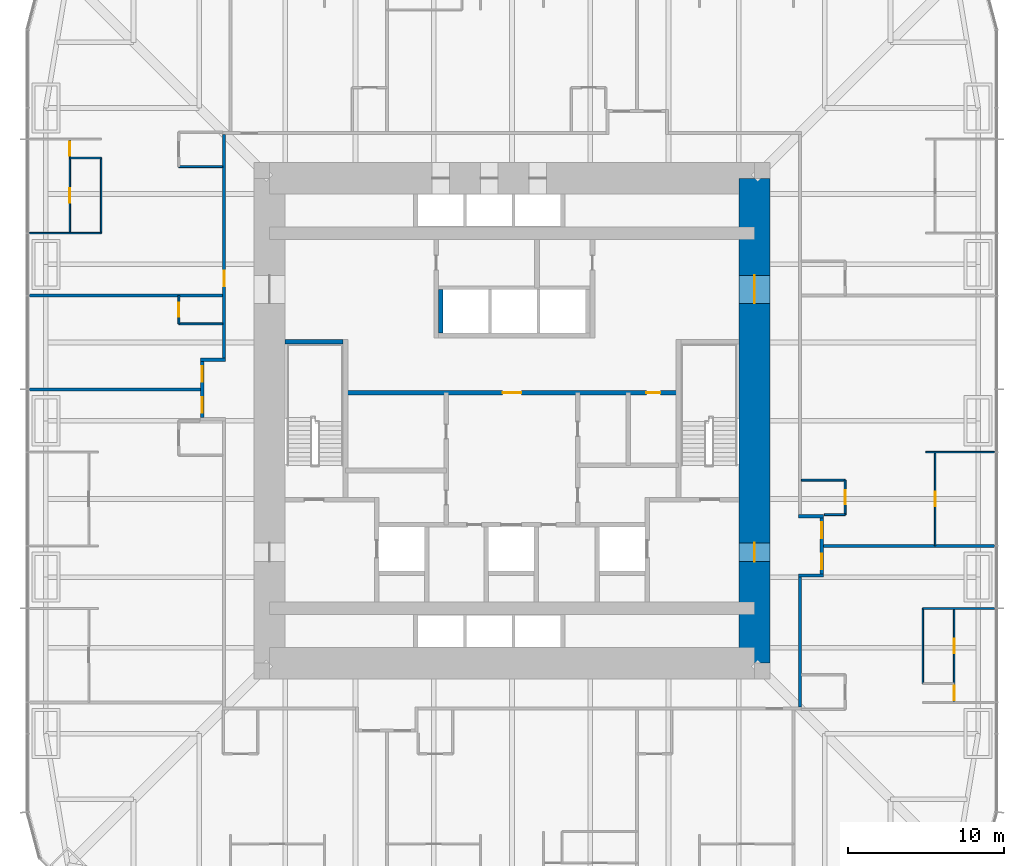
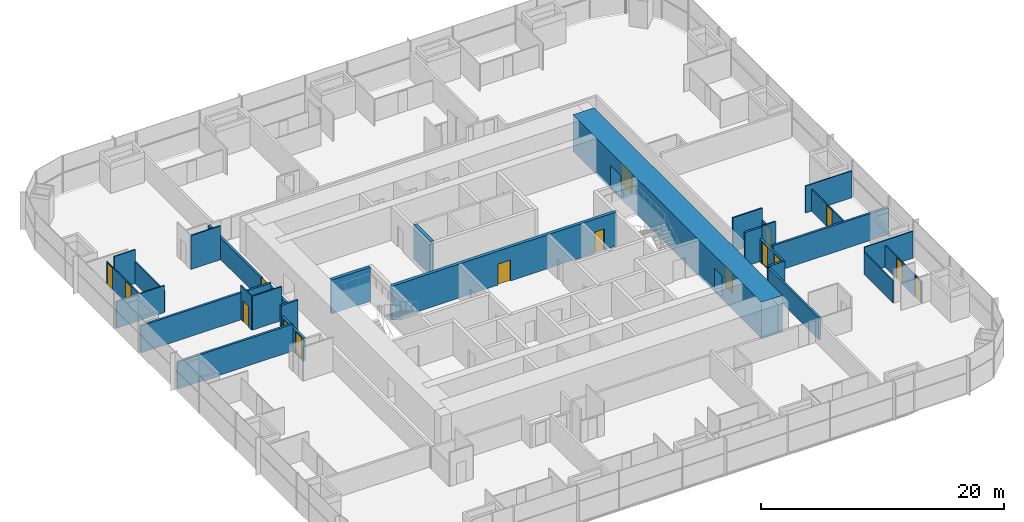
# One storey, part 14 of 17: 29 walls, 16 doors, 16 openings.
"""IFC4 building model written with IfcOpenShell, lengths in metres."""

from ifc_helpers import new_model, si_unit, direction, frame, frame_2d, origin, place, context, subcontext, project, spatial, rectangle, extrude, material, layer, layer_set, type_object, element, fill, save


model = new_model("IFC4")

# Units and contexts
model_context = context("Model", 3, precision=1e-05, world=origin(), true_north=direction((0.0, 1.0)))
body_context = subcontext(model_context, "Body", "Model", "MODEL_VIEW")
ifc_project = project(units=[si_unit("LENGTHUNIT", "METRE"), si_unit("AREAUNIT", "SQUARE_METRE"), si_unit("VOLUMEUNIT", "CUBIC_METRE"), si_unit("PLANEANGLEUNIT", "RADIAN"), si_unit("MASSUNIT", "GRAM", prefix="KILO")], contexts=[model_context])

# Site, building, storey
site_placement = place(None, origin())
site = spatial("IfcSite", under=ifc_project, at=site_placement, CompositionType="ELEMENT")
building_placement = place(site_placement, origin())
building = spatial("IfcBuilding", under=site, at=building_placement, Name="Khuree Lantern Residences", CompositionType="ELEMENT")
storey_placement = place(building_placement, frame((0.0, 0.0, 96.0)))
storey = spatial("IfcBuildingStorey", under=building, at=storey_placement, Name="L24", CompositionType="ELEMENT", Elevation=96.0)

# Wall, opening, door
ifc_material_1 = material(Name="Moisture-resistant gypsum board on steel studs", Category="steel")
ifc_layer_1 = layer(ifc_material_1, 0.125)
ifc_layer_set_1 = layer_set([ifc_layer_1], Name="BATHROOM WALL BTW125")
wall_type_1 = type_object("IfcWallType", Name="BATHROOM WALL BTW125", PredefinedType="PARTITIONING", material=ifc_layer_set_1)
wall_1_placement = place(storey_placement, frame((21.300048828125, -6.0, 0.0), z_axis=(0.0, 0.0, 1.0), x_axis=(0.0, 1.0, 0.0)))
wall_1 = element("IfcWall", 1, at=wall_1_placement, inside=storey, type_object=wall_type_1, Name="L24 BATHROOM WALL 01", PredefinedType="PARTITIONING", context=body_context, shape_type="SweptSolid", body=[
    extrude(rectangle(XDim=2.199951171875, YDim=0.125, at=frame_2d((1.10009765625, 0.0))), origin(), (0.0, 0.0, 1.0), 2.199951171875),
])
opening_1_placement = place(wall_1_placement, frame((0.64990234375, 0.0, 0.0)))
opening_1 = element("IfcOpeningElement", 2, at=opening_1_placement, cuts=wall_1, Name="Opening 24-024", PredefinedType="OPENING", context=body_context, shape_type="SweptSolid", body=[
    extrude(rectangle(XDim=0.89990234375, YDim=2.10009765625, at=frame_2d((0.449951171875, 1.050048828125))), frame((0.0, 0.072509765625, 0.0), z_axis=(0.0, -1.0, 0.0), x_axis=(1.0, 0.0, 0.0)), (0.0, 0.0, 1.0), 0.14501953125),
])
ifc_material_2 = material(Name="Timber door leaf in hardwood frame", Category="wood")
door_type_1 = type_object("IfcDoorType", Name="BATHROOM DOOR 900X2100", OperationType="SINGLE_SWING_LEFT", PredefinedType="DOOR", material=ifc_material_2)
door_1_placement = place(opening_1_placement, origin())
door_1 = element("IfcDoor", 3, at=door_1_placement, inside=storey, type_object=door_type_1, Name="Bathroom door 24-024", OperationType="SINGLE_SWING_LEFT", OverallHeight=2.10009765625, OverallWidth=0.89990234375, PredefinedType="DOOR", context=body_context, shape_type="SweptSolid", body=[
    extrude(rectangle(XDim=0.89990234375, YDim=2.10009765625, at=frame_2d((0.449951171875, 1.050048828125))), frame((0.0, 0.02490234375, 0.0), z_axis=(0.0, -1.0, 0.0), x_axis=(1.0, 0.0, 0.0)), (0.0, 0.0, 1.0), 0.050048828125),
])
fill(opening_1, door_1)

# Walls
wall_2_placement = place(storey_placement, frame((19.969970703125, -6.0, 0.0), z_axis=(0.0, 0.0, 1.0), x_axis=(1.0, 0.0, 0.0)))
element("IfcWall", 4, at=wall_2_placement, inside=storey, type_object=wall_type_1, Name="L24 BATHROOM WALL 01", PredefinedType="PARTITIONING", context=body_context, shape_type="SweptSolid", body=[
    extrude(rectangle(XDim=1.330078125, YDim=0.125, at=frame_2d((0.6650390625, 0.0))), origin(), (0.0, 0.0, 1.0), 3.39990234375),
])
for number, where, z_axis, x_axis, name in (
    (5, (18.5, -3.800048828125, 0.0), (0.0, 0.0, 1.0), (1.0, 0.0, 0.0), "L24 BATHROOM WALL 01"),
    (6, (-18.5, 16.25, 0.0), (0.0, 0.0, 1.0), (-1.0, 0.0, 0.0), "L24 BATHROOM WALL 05"),
):
    element("IfcWall", number, at=place(storey_placement, frame(where, z_axis=z_axis, x_axis=x_axis)), inside=storey, type_object=wall_type_1, Name=name, PredefinedType="PARTITIONING", context=body_context, shape_type="SweptSolid", body=[
        extrude(rectangle(XDim=2.800048828125, YDim=0.125, at=frame_2d((1.39990234375, 0.0))), origin(), (0.0, 0.0, 1.0), 3.39990234375),
    ])

# Wall, opening, door
wall_3_placement = place(storey_placement, frame((-21.300048828125, 8.0, 0.0), z_axis=(0.0, 0.0, 1.0), x_axis=(0.0, -1.0, 0.0)))
wall_3 = element("IfcWall", 7, at=wall_3_placement, inside=storey, type_object=wall_type_1, Name="L24 BATHROOM WALL 06", PredefinedType="PARTITIONING", context=body_context, shape_type="SweptSolid", body=[
    extrude(rectangle(XDim=1.800048828125, YDim=0.125, at=frame_2d((0.89990234375, 0.0))), origin(), (0.0, 0.0, 1.0), 3.39990234375),
])
opening_2_placement = place(wall_3_placement, frame((0.449951171875, 0.0, 0.0)))
opening_2 = element("IfcOpeningElement", 8, at=opening_2_placement, cuts=wall_3, Name="Opening 24-042", PredefinedType="OPENING", context=body_context, shape_type="SweptSolid", body=[
    extrude(rectangle(XDim=0.89990234375, YDim=2.10009765625, at=frame_2d((0.449951171875, 1.050048828125))), frame((0.0, 0.072509765625, 0.0), z_axis=(0.0, -1.0, 0.0), x_axis=(1.0, 0.0, 0.0)), (0.0, 0.0, 1.0), 0.14501953125),
])
door_2_placement = place(opening_2_placement, origin())
door_2 = element("IfcDoor", 9, at=door_2_placement, inside=storey, type_object=door_type_1, Name="Bathroom door 24-042", OperationType="SINGLE_SWING_LEFT", OverallHeight=2.10009765625, OverallWidth=0.89990234375, PredefinedType="DOOR", context=body_context, shape_type="SweptSolid", body=[
    extrude(rectangle(XDim=0.89990234375, YDim=2.10009765625, at=frame_2d((0.449951171875, 1.050048828125))), frame((0.0, 0.02490234375, 0.0), z_axis=(0.0, -1.0, 0.0), x_axis=(1.0, 0.0, 0.0)), (0.0, 0.0, 1.0), 0.050048828125),
])
fill(opening_2, door_2)

# Walls
wall_4_placement = place(storey_placement, frame((-18.5, 6.199951171875, 0.0), z_axis=(0.0, 0.0, 1.0), x_axis=(-1.0, 0.0, 0.0)))
element("IfcWall", 10, at=wall_4_placement, inside=storey, type_object=wall_type_1, Name="L24 BATHROOM WALL 06", PredefinedType="PARTITIONING", context=body_context, shape_type="SweptSolid", body=[
    extrude(rectangle(XDim=2.800048828125, YDim=0.125, at=frame_2d((1.39990234375, 0.0))), origin(), (0.0, 0.0, 1.0), 3.39990234375),
])
ifc_material_3 = material(Name="Dense concrete blockwork", Category="masonry")
ifc_layer_2 = layer(ifc_material_3, 0.300048828125)
ifc_layer_set_2 = layer_set([ifc_layer_2], Name="CORE PARTITION WALL CPW300 EI 120")
wall_type_2 = type_object("IfcWallType", Name="CORE PARTITION WALL CPW300 EI 120", PredefinedType="PARTITIONING", material=ifc_layer_set_2)
wall_5_placement = place(storey_placement, frame((-4.550048828125, 5.60009765625, 0.0), z_axis=(0.0, 0.0, 1.0), x_axis=(0.0, 1.0, 0.0)))
element("IfcWall", 11, at=wall_5_placement, inside=storey, type_object=wall_type_2, Name="L24 CORE WALL PHW", PredefinedType="PARTITIONING", context=body_context, shape_type="SweptSolid", body=[
    extrude(rectangle(XDim=2.7998046875, YDim=0.300048828125, at=frame_2d((1.39990234375, 0.0))), origin(), (0.0, 0.0, 1.0), 3.39990234375),
])

# Wall, openings, doors
wall_6_placement = place(storey_placement, frame((-10.64990234375, 1.800048828125, 0.0), z_axis=(0.0, 0.0, 1.0), x_axis=(1.0, 0.0, 0.0)))
wall_6 = element("IfcWall", 12, at=wall_6_placement, inside=storey, type_object=wall_type_2, Name="L24 CORE WALL LLS", PredefinedType="PARTITIONING", context=body_context, shape_type="SweptSolid", body=[
    extrude(rectangle(XDim=21.2998046875, YDim=0.300048828125, at=frame_2d((10.64990234375, 0.0))), origin(), (0.0, 0.0, 1.0), 3.39990234375),
])
opening_3_placement = place(wall_6_placement, frame((10.050048828125, 0.0, 0.0)))
opening_3 = element("IfcOpeningElement", 13, at=opening_3_placement, cuts=wall_6, Name="Opening 24-013", PredefinedType="OPENING", context=body_context, shape_type="SweptSolid", body=[
    extrude(rectangle(XDim=1.199951171875, YDim=2.10009765625, at=frame_2d((0.60009765625, 1.050048828125))), frame((0.0, 0.16015625, 0.0), z_axis=(0.0, -1.0, 0.0), x_axis=(1.0, 0.0, 0.0)), (0.0, 0.0, 1.0), 0.320068359375),
])
opening_4_placement = place(wall_6_placement, frame((19.238037109375, 0.0, 0.0)))
opening_4 = element("IfcOpeningElement", 14, at=opening_4_placement, cuts=wall_6, Name="Opening 24-020", PredefinedType="OPENING", context=body_context, shape_type="SweptSolid", body=[
    extrude(rectangle(XDim=0.89990234375, YDim=2.10009765625, at=frame_2d((0.449951171875, 1.050048828125))), frame((0.0, 0.16015625, 0.0), z_axis=(0.0, -1.0, 0.0), x_axis=(1.0, 0.0, 0.0)), (0.0, 0.0, 1.0), 0.320068359375),
])
ifc_material_4 = material(Name="Steel door leaf in steel frame", Category="steel")
door_type_2 = type_object("IfcDoorType", Name="DOOR 1200X2100 EI 60", OperationType="SINGLE_SWING_LEFT", PredefinedType="DOOR", material=ifc_material_4)
door_3_placement = place(opening_3_placement, origin())
door_3 = element("IfcDoor", 15, at=door_3_placement, inside=storey, type_object=door_type_2, Name="Service lift lobby door 24-013", OperationType="SINGLE_SWING_LEFT", OverallHeight=2.10009765625, OverallWidth=1.199951171875, PredefinedType="DOOR", context=body_context, shape_type="SweptSolid", body=[
    extrude(rectangle(XDim=1.199951171875, YDim=2.10009765625, at=frame_2d((0.60009765625, 1.050048828125))), frame((0.0, 0.02490234375, 0.0), z_axis=(0.0, -1.0, 0.0), x_axis=(1.0, 0.0, 0.0)), (0.0, 0.0, 1.0), 0.050048828125),
])
fill(opening_3, door_3)
door_type_3 = type_object("IfcDoorType", Name="DOOR 900X2100 RIGHT HAND", OperationType="SINGLE_SWING_RIGHT", PredefinedType="DOOR", material=ifc_material_2)
door_4_placement = place(opening_4_placement, origin())
door_4 = element("IfcDoor", 16, at=door_4_placement, inside=storey, type_object=door_type_3, Name="Building management room door 24-020", OperationType="SINGLE_SWING_RIGHT", OverallHeight=2.10009765625, OverallWidth=0.89990234375, PredefinedType="DOOR", context=body_context, shape_type="SweptSolid", body=[
    extrude(rectangle(XDim=0.89990234375, YDim=2.10009765625, at=frame_2d((0.449951171875, 1.050048828125))), frame((0.0, 0.02490234375, 0.0), z_axis=(0.0, -1.0, 0.0), x_axis=(1.0, 0.0, 0.0)), (0.0, 0.0, 1.0), 0.050048828125),
])
fill(opening_4, door_4)

# Walls
ifc_material_5 = material(Name="Gypsum board on steel studs", Category="steel")
ifc_layer_3 = layer(ifc_material_5, 0.199951171875)
ifc_layer_set_3 = layer_set([ifc_layer_3], Name="CORRIDOR WALL CRW200 EI 60")
wall_type_3 = type_object("IfcWallType", Name="CORRIDOR WALL CRW200 EI 60", PredefinedType="PARTITIONING", material=ifc_layer_set_3)
wall_7_placement = place(storey_placement, frame((18.39990234375, -18.300048828125, 0.0), z_axis=(0.0, 0.0, 1.0), x_axis=(0.0, 1.0, 0.0)))
element("IfcWall", 17, at=wall_7_placement, inside=storey, type_object=wall_type_3, Name="L24 CORRIDOR WALL EAST 1", PredefinedType="PARTITIONING", context=body_context, shape_type="SweptSolid", body=[
    extrude(rectangle(XDim=8.300048828125, YDim=0.199951171875, at=frame_2d((4.14990234375, 0.0))), origin(), (0.0, 0.0, 1.0), 2.199951171875),
])
wall_8_placement = place(storey_placement, frame((18.300048828125, -9.89990234375, 0.0), z_axis=(0.0, 0.0, 1.0), x_axis=(1.0, 0.0, 0.0)))
element("IfcWall", 18, at=wall_8_placement, inside=storey, type_object=wall_type_3, Name="L24 CORRIDOR ALCOVE WALL EAST", PredefinedType="PARTITIONING", context=body_context, shape_type="SweptSolid", body=[
    extrude(rectangle(XDim=1.599853515625, YDim=0.199951171875, at=frame_2d((0.7998046875, 0.0))), origin(), (0.0, 0.0, 1.0), 2.300048828125),
])
wall_9_placement = place(storey_placement, frame((18.300048828125, -6.10009765625, 0.0), z_axis=(0.0, 0.0, 1.0), x_axis=(1.0, 0.0, 0.0)))
element("IfcWall", 19, at=wall_9_placement, inside=storey, type_object=wall_type_3, Name="L24 CORRIDOR ALCOVE WALL EAST", PredefinedType="PARTITIONING", context=body_context, shape_type="SweptSolid", body=[
    extrude(rectangle(XDim=1.599853515625, YDim=0.199951171875, at=frame_2d((0.7998046875, 0.0))), origin(), (0.0, 0.0, 1.0), 3.39990234375),
])

# Wall, openings, doors
wall_10_placement = place(storey_placement, frame((19.800048828125, -9.800048828125, 0.0), z_axis=(0.0, 0.0, 1.0), x_axis=(0.0, 1.0, 0.0)))
wall_10 = element("IfcWall", 20, at=wall_10_placement, inside=storey, type_object=wall_type_3, Name="L24 CORRIDOR ALCOVE WALL EAST", PredefinedType="PARTITIONING", context=body_context, shape_type="SweptSolid", body=[
    extrude(rectangle(XDim=3.60009765625, YDim=0.199951171875, at=frame_2d((1.800048828125, 0.0))), origin(), (0.0, 0.0, 1.0), 2.300048828125),
])
opening_5_placement = place(wall_10_placement, frame((2.300048828125, 0.0, 0.0)))
opening_5 = element("IfcOpeningElement", 21, at=opening_5_placement, cuts=wall_10, Name="Opening 24-025", PredefinedType="OPENING", context=body_context, shape_type="SweptSolid", body=[
    extrude(rectangle(XDim=1.0, YDim=2.199951171875, at=frame_2d((0.5, 1.10009765625))), frame((0.0, 0.10986328125, 0.0), z_axis=(0.0, -1.0, 0.0), x_axis=(1.0, 0.0, 0.0)), (0.0, 0.0, 1.0), 0.219970703125),
])
opening_6_placement = place(wall_10_placement, frame((0.300048828125, 0.0, 0.0)))
opening_6 = element("IfcOpeningElement", 22, at=opening_6_placement, cuts=wall_10, Name="Opening 24-062", PredefinedType="OPENING", context=body_context, shape_type="SweptSolid", body=[
    extrude(rectangle(XDim=1.0, YDim=2.199951171875, at=frame_2d((0.5, 1.10009765625))), frame((0.0, 0.10986328125, 0.0), z_axis=(0.0, -1.0, 0.0), x_axis=(1.0, 0.0, 0.0)), (0.0, 0.0, 1.0), 0.219970703125),
])
door_type_4 = type_object("IfcDoorType", Name="APARTMENT ENTRANCE DOOR 1000X2200 EI 30S", OperationType="SINGLE_SWING_LEFT", PredefinedType="DOOR", material=ifc_material_2)
door_5_placement = place(opening_6_placement, origin())
door_5 = element("IfcDoor", 23, at=door_5_placement, inside=storey, type_object=door_type_4, Name="Apartment 11 entrance door 24-062", OperationType="SINGLE_SWING_LEFT", OverallHeight=2.199951171875, OverallWidth=1.0, PredefinedType="DOOR", context=body_context, shape_type="SweptSolid", body=[
    extrude(rectangle(XDim=1.0, YDim=2.199951171875, at=frame_2d((0.5, 1.10009765625))), frame((0.0, 0.02490234375, 0.0), z_axis=(0.0, -1.0, 0.0), x_axis=(1.0, 0.0, 0.0)), (0.0, 0.0, 1.0), 0.050048828125),
])
fill(opening_6, door_5)
door_type_5 = type_object("IfcDoorType", Name="APARTMENT ENTRANCE DOOR 1000X2200 EI 30S RIGHT HAND", OperationType="SINGLE_SWING_RIGHT", PredefinedType="DOOR", material=ifc_material_2)
door_6_placement = place(opening_5_placement, origin())
door_6 = element("IfcDoor", 24, at=door_6_placement, inside=storey, type_object=door_type_5, Name="Apartment 01 entrance door 24-025", OperationType="SINGLE_SWING_RIGHT", OverallHeight=2.199951171875, OverallWidth=1.0, PredefinedType="DOOR", context=body_context, shape_type="SweptSolid", body=[
    extrude(rectangle(XDim=1.0, YDim=2.199951171875, at=frame_2d((0.5, 1.10009765625))), frame((0.0, 0.02490234375, 0.0), z_axis=(0.0, -1.0, 0.0), x_axis=(1.0, 0.0, 0.0)), (0.0, 0.0, 1.0), 0.050048828125),
])
fill(opening_5, door_6)

# Wall, opening, door
wall_11_placement = place(storey_placement, frame((-18.39990234375, 18.300048828125, 0.0), z_axis=(0.0, 0.0, 1.0), x_axis=(0.0, -1.0, 0.0)))
wall_11 = element("IfcWall", 25, at=wall_11_placement, inside=storey, type_object=wall_type_3, Name="L24 CORRIDOR WALL WEST 1", PredefinedType="PARTITIONING", context=body_context, shape_type="SweptSolid", body=[
    extrude(rectangle(XDim=14.300048828125, YDim=0.199951171875, at=frame_2d((7.14990234375, 0.0))), origin(), (0.0, 0.0, 1.0), 2.199951171875),
])
opening_7_placement = place(wall_11_placement, frame((8.699951171875, 0.0, 0.0)))
opening_7 = element("IfcOpeningElement", 26, at=opening_7_placement, cuts=wall_11, Name="Opening 24-041", PredefinedType="OPENING", context=body_context, shape_type="SweptSolid", body=[
    extrude(rectangle(XDim=1.0, YDim=2.199951171875, at=frame_2d((0.5, 1.10009765625))), frame((0.0, 0.10986328125, 0.0), z_axis=(0.0, -1.0, 0.0), x_axis=(1.0, 0.0, 0.0)), (0.0, 0.0, 1.0), 0.219970703125),
])
door_7_placement = place(opening_7_placement, origin())
door_7 = element("IfcDoor", 27, at=door_7_placement, inside=storey, type_object=door_type_4, Name="Apartment 05 entrance door 24-041", OperationType="SINGLE_SWING_LEFT", OverallHeight=2.199951171875, OverallWidth=1.0, PredefinedType="DOOR", context=body_context, shape_type="SweptSolid", body=[
    extrude(rectangle(XDim=1.0, YDim=2.199951171875, at=frame_2d((0.5, 1.10009765625))), frame((0.0, 0.02490234375, 0.0), z_axis=(0.0, -1.0, 0.0), x_axis=(1.0, 0.0, 0.0)), (0.0, 0.0, 1.0), 0.050048828125),
])
fill(opening_7, door_7)

# Wall
wall_12_placement = place(storey_placement, frame((-18.300048828125, 3.89990234375, 0.0), z_axis=(0.0, 0.0, 1.0), x_axis=(-1.0, 0.0, 0.0)))
element("IfcWall", 28, at=wall_12_placement, inside=storey, type_object=wall_type_3, Name="L24 CORRIDOR ALCOVE WALL WEST", PredefinedType="PARTITIONING", context=body_context, shape_type="SweptSolid", body=[
    extrude(rectangle(XDim=1.599853515625, YDim=0.199951171875, at=frame_2d((0.7998046875, 0.0))), origin(), (0.0, 0.0, 1.0), 3.39990234375),
])

# Wall, openings, doors
wall_13_placement = place(storey_placement, frame((-19.800048828125, 3.800048828125, 0.0), z_axis=(0.0, 0.0, 1.0), x_axis=(0.0, -1.0, 0.0)))
wall_13 = element("IfcWall", 29, at=wall_13_placement, inside=storey, type_object=wall_type_3, Name="L24 CORRIDOR ALCOVE WALL WEST", PredefinedType="PARTITIONING", context=body_context, shape_type="SweptSolid", body=[
    extrude(rectangle(XDim=3.60009765625, YDim=0.199951171875, at=frame_2d((1.800048828125, 0.0))), origin(), (0.0, 0.0, 1.0), 2.300048828125),
])
opening_8_placement = place(wall_13_placement, frame((0.300048828125, 0.0, 0.0)))
opening_8 = element("IfcOpeningElement", 30, at=opening_8_placement, cuts=wall_13, Name="Opening 24-043", PredefinedType="OPENING", context=body_context, shape_type="SweptSolid", body=[
    extrude(rectangle(XDim=1.0, YDim=2.199951171875, at=frame_2d((0.5, 1.10009765625))), frame((0.0, 0.10986328125, 0.0), z_axis=(0.0, -1.0, 0.0), x_axis=(1.0, 0.0, 0.0)), (0.0, 0.0, 1.0), 0.219970703125),
])
opening_9_placement = place(wall_13_placement, frame((2.300048828125, 0.0, 0.0)))
opening_9 = element("IfcOpeningElement", 31, at=opening_9_placement, cuts=wall_13, Name="Opening 24-047", PredefinedType="OPENING", context=body_context, shape_type="SweptSolid", body=[
    extrude(rectangle(XDim=1.0, YDim=2.199951171875, at=frame_2d((0.5, 1.10009765625))), frame((0.0, 0.10986328125, 0.0), z_axis=(0.0, -1.0, 0.0), x_axis=(1.0, 0.0, 0.0)), (0.0, 0.0, 1.0), 0.219970703125),
])
door_8_placement = place(opening_8_placement, origin())
door_8 = element("IfcDoor", 32, at=door_8_placement, inside=storey, type_object=door_type_4, Name="Apartment 06 entrance door 24-043", OperationType="SINGLE_SWING_LEFT", OverallHeight=2.199951171875, OverallWidth=1.0, PredefinedType="DOOR", context=body_context, shape_type="SweptSolid", body=[
    extrude(rectangle(XDim=1.0, YDim=2.199951171875, at=frame_2d((0.5, 1.10009765625))), frame((0.0, 0.02490234375, 0.0), z_axis=(0.0, -1.0, 0.0), x_axis=(1.0, 0.0, 0.0)), (0.0, 0.0, 1.0), 0.050048828125),
])
fill(opening_8, door_8)
door_9_placement = place(opening_9_placement, origin())
door_9 = element("IfcDoor", 33, at=door_9_placement, inside=storey, type_object=door_type_5, Name="Apartment 07 entrance door 24-047", OperationType="SINGLE_SWING_RIGHT", OverallHeight=2.199951171875, OverallWidth=1.0, PredefinedType="DOOR", context=body_context, shape_type="SweptSolid", body=[
    extrude(rectangle(XDim=1.0, YDim=2.199951171875, at=frame_2d((0.5, 1.10009765625))), frame((0.0, 0.02490234375, 0.0), z_axis=(0.0, -1.0, 0.0), x_axis=(1.0, 0.0, 0.0)), (0.0, 0.0, 1.0), 0.050048828125),
])
fill(opening_9, door_9)

ifc_material_6 = material(Name="Concrete C70/85", Category="concrete")
ifc_layer_4 = layer(ifc_material_6, 2.0)
ifc_layer_set_4 = layer_set([ifc_layer_4], Name="CW2000-C70 CORE WALL C70 2000")
wall_type_4 = type_object("IfcWallType", Name="CW2000-C70 CORE WALL C70 2000", PredefinedType="SHEAR", material=ifc_layer_set_4)
wall_14_placement = place(storey_placement, frame((15.5, -15.5, -0.25), z_axis=(0.0, 0.0, 1.0), x_axis=(0.0, 1.0, 0.0)))
wall_14 = element("IfcWall", 34, at=wall_14_placement, inside=storey, type_object=wall_type_4, Name="Core wall E", PredefinedType="SHEAR", context=body_context, shape_type="SweptSolid", body=[
    extrude(rectangle(XDim=31.0, YDim=2.0, at=frame_2d((15.5, 0.0))), origin(), (0.0, 0.0, 1.0), 3.64990234375),
])
opening_10_placement = place(wall_14_placement, frame((6.5, 0.0, 0.25)))
opening_10 = element("IfcOpeningElement", 35, at=opening_10_placement, cuts=wall_14, Name="Opening 24-005", PredefinedType="OPENING", context=body_context, shape_type="SweptSolid", body=[
    extrude(rectangle(XDim=1.199951171875, YDim=2.10009765625, at=frame_2d((0.60009765625, 1.050048828125))), frame((0.0, 1.010009765625, 0.0), z_axis=(0.0, -1.0, 0.0), x_axis=(1.0, 0.0, 0.0)), (0.0, 0.0, 1.0), 2.02001953125),
])
opening_11_placement = place(wall_14_placement, frame((23.0, 0.0, 0.25)))
opening_11 = element("IfcOpeningElement", 36, at=opening_11_placement, cuts=wall_14, Name="Opening 24-006", PredefinedType="OPENING", context=body_context, shape_type="SweptSolid", body=[
    extrude(rectangle(XDim=1.800048828125, YDim=2.10009765625, at=frame_2d((0.89990234375, 1.050048828125))), frame((0.0, 1.010009765625, 0.0), z_axis=(0.0, -1.0, 0.0), x_axis=(1.0, 0.0, 0.0)), (0.0, 0.0, 1.0), 2.02001953125),
])
door_type_6 = type_object("IfcDoorType", Name="LOBBY DOOR 1200X2100 EI 120", OperationType="SINGLE_SWING_LEFT", PredefinedType="DOOR", material=ifc_material_4)
door_10_placement = place(opening_10_placement, origin())
door_10 = element("IfcDoor", 37, at=door_10_placement, inside=storey, type_object=door_type_6, Name="Firefighting lobby door 24-005", OperationType="SINGLE_SWING_LEFT", OverallHeight=2.10009765625, OverallWidth=1.199951171875, PredefinedType="DOOR", context=body_context, shape_type="SweptSolid", body=[
    extrude(rectangle(XDim=1.199951171875, YDim=2.10009765625, at=frame_2d((0.60009765625, 1.050048828125))), frame((0.0, 0.02490234375, 0.0), z_axis=(0.0, -1.0, 0.0), x_axis=(1.0, 0.0, 0.0)), (0.0, 0.0, 1.0), 0.050048828125),
])
fill(opening_10, door_10)
door_type_7 = type_object("IfcDoorType", Name="LOBBY DOUBLE DOOR 1800X2100 EI 60", OperationType="DOUBLE_DOOR_SINGLE_SWING", PredefinedType="DOOR", material=ifc_material_4)
door_11_placement = place(opening_11_placement, origin())
door_11 = element("IfcDoor", 38, at=door_11_placement, inside=storey, type_object=door_type_7, Name="Lift lobby door 24-006", OperationType="DOUBLE_DOOR_SINGLE_SWING", OverallHeight=2.10009765625, OverallWidth=1.800048828125, PredefinedType="DOOR", context=body_context, shape_type="SweptSolid", body=[
    extrude(rectangle(XDim=1.800048828125, YDim=2.10009765625, at=frame_2d((0.89990234375, 1.050048828125))), frame((0.0, 0.02490234375, 0.0), z_axis=(0.0, -1.0, 0.0), x_axis=(1.0, 0.0, 0.0)), (0.0, 0.0, 1.0), 0.050048828125),
])
fill(opening_11, door_11)

# Walls
ifc_layer_5 = layer(ifc_material_5, 0.199951171875)
ifc_layer_set_5 = layer_set([ifc_layer_5], Name="DEMISING WALL DMW200 EI 90")
wall_type_5 = type_object("IfcWallType", Name="DEMISING WALL DMW200 EI 90", PredefinedType="PARTITIONING", material=ifc_layer_set_5)
wall_15_placement = place(storey_placement, frame((19.89990234375, -8.0, 0.0), z_axis=(0.0, 0.0, 1.0), x_axis=(1.0, 0.0, 0.0)))
element("IfcWall", 39, at=wall_15_placement, inside=storey, type_object=wall_type_5, Name="L24 DEMISING WALL 01", PredefinedType="PARTITIONING", context=body_context, shape_type="SweptSolid", body=[
    extrude(rectangle(XDim=10.9501953125, YDim=0.199951171875, at=frame_2d((5.47509765625, 0.0))), origin(), (0.0, 0.0, 1.0), 2.699951171875),
])
wall_16_placement = place(storey_placement, frame((-18.5, 8.0, 0.0), z_axis=(0.0, 0.0, 1.0), x_axis=(-1.0, 0.0, 0.0)))
element("IfcWall", 40, at=wall_16_placement, inside=storey, type_object=wall_type_5, Name="L24 DEMISING WALL 06", PredefinedType="PARTITIONING", context=body_context, shape_type="SweptSolid", body=[
    extrude(rectangle(XDim=12.35009765625, YDim=0.199951171875, at=frame_2d((6.175048828125, 0.0))), origin(), (0.0, 0.0, 1.0), 2.699951171875),
])
wall_17_placement = place(storey_placement, frame((-19.89990234375, 2.0, 0.0), z_axis=(0.0, 0.0, 1.0), x_axis=(-1.0, 0.0, 0.0)))
element("IfcWall", 41, at=wall_17_placement, inside=storey, type_object=wall_type_5, Name="L24 DEMISING WALL 07", PredefinedType="PARTITIONING", context=body_context, shape_type="SweptSolid", body=[
    extrude(rectangle(XDim=10.9501953125, YDim=0.199951171875, at=frame_2d((5.47509765625, 0.0))), origin(), (0.0, 0.0, 1.0), 2.699951171875),
])
ifc_layer_6 = layer(ifc_material_5, 0.10009765625)
ifc_layer_set_6 = layer_set([ifc_layer_6], Name="PARTITION PT100")
wall_type_6 = type_object("IfcWallType", Name="PARTITION PT100", PredefinedType="PARTITIONING", material=ifc_layer_set_6)
wall_18_placement = place(storey_placement, frame((26.449951171875, -2.0, 0.0), z_axis=(0.0, 0.0, 1.0), x_axis=(1.0, 0.0, 0.0)))
element("IfcWall", 42, at=wall_18_placement, inside=storey, type_object=wall_type_6, Name="L24 PARTITION 01", PredefinedType="PARTITIONING", context=body_context, shape_type="SweptSolid", body=[
    extrude(rectangle(XDim=4.400146484375, YDim=0.10009765625, at=frame_2d((2.2001953125, 0.0))), origin(), (0.0, 0.0, 1.0), 2.699951171875),
])
for number, where, z_axis, x_axis, name in (
    (43, (-26.2666015625, 12.0, 0.0), (0.0, 0.0, 1.0), (-1.0, 0.0, 0.0), "L24 PARTITION 05"),
    (44, (26.2666015625, -12.0, 0.0), (0.0, 0.0, 1.0), (1.0, 0.0, 0.0), "L24 PARTITION 11"),
):
    element("IfcWall", number, at=place(storey_placement, frame(where, z_axis=z_axis, x_axis=x_axis)), inside=storey, type_object=wall_type_6, Name=name, PredefinedType="PARTITIONING", context=body_context, shape_type="SweptSolid", body=[
        extrude(rectangle(XDim=4.58349609375, YDim=0.10009765625, at=frame_2d((2.291748046875, 0.0))), origin(), (0.0, 0.0, 1.0), 2.699951171875),
    ])

# Wall, opening, door
wall_19_placement = place(storey_placement, frame((27.050048828125, -8.0, 0.0), z_axis=(0.0, 0.0, 1.0), x_axis=(0.0, 1.0, 0.0)))
wall_19 = element("IfcWall", 45, at=wall_19_placement, inside=storey, type_object=wall_type_6, Name="L24 PARTITION 01", PredefinedType="PARTITIONING", context=body_context, shape_type="SweptSolid", body=[
    extrude(rectangle(XDim=6.0, YDim=0.10009765625, at=frame_2d((3.0, 0.0))), origin(), (0.0, 0.0, 1.0), 2.199951171875),
])
opening_12_placement = place(wall_19_placement, frame((2.550048828125, 0.0, 0.0)))
opening_12 = element("IfcOpeningElement", 46, at=opening_12_placement, cuts=wall_19, Name="Opening 24-023", PredefinedType="OPENING", context=body_context, shape_type="SweptSolid", body=[
    extrude(rectangle(XDim=0.89990234375, YDim=2.10009765625, at=frame_2d((0.449951171875, 1.050048828125))), frame((0.0, 0.06005859375, 0.0), z_axis=(0.0, -1.0, 0.0), x_axis=(1.0, 0.0, 0.0)), (0.0, 0.0, 1.0), 0.1201171875),
])
door_type_8 = type_object("IfcDoorType", Name="BEDROOM DOOR 900X2100", OperationType="SINGLE_SWING_LEFT", PredefinedType="DOOR", material=ifc_material_2)
door_12_placement = place(opening_12_placement, origin())
door_12 = element("IfcDoor", 47, at=door_12_placement, inside=storey, type_object=door_type_8, Name="Bedroom door 24-023", OperationType="SINGLE_SWING_LEFT", OverallHeight=2.10009765625, OverallWidth=0.89990234375, PredefinedType="DOOR", context=body_context, shape_type="SweptSolid", body=[
    extrude(rectangle(XDim=0.89990234375, YDim=2.10009765625, at=frame_2d((0.449951171875, 1.050048828125))), frame((0.0, 0.02490234375, 0.0), z_axis=(0.0, -1.0, 0.0), x_axis=(1.0, 0.0, 0.0)), (0.0, 0.0, 1.0), 0.050048828125),
])
fill(opening_12, door_12)

# Wall, openings, doors
wall_20_placement = place(storey_placement, frame((-28.2666015625, 18.0, 0.0), z_axis=(0.0, 0.0, 1.0), x_axis=(0.0, -1.0, 0.0)))
wall_20 = element("IfcWall", 48, at=wall_20_placement, inside=storey, type_object=wall_type_6, Name="L24 PARTITION 05", PredefinedType="PARTITIONING", context=body_context, shape_type="SweptSolid", body=[
    extrude(rectangle(XDim=6.0, YDim=0.10009765625, at=frame_2d((3.0, 0.0))), origin(), (0.0, 0.0, 1.0), 2.199951171875),
])
opening_13_placement = place(wall_20_placement, frame((0.14990234375, 0.0, 0.0)))
opening_13 = element("IfcOpeningElement", 49, at=opening_13_placement, cuts=wall_20, Name="Opening 24-038", PredefinedType="OPENING", context=body_context, shape_type="SweptSolid", body=[
    extrude(rectangle(XDim=0.89990234375, YDim=2.10009765625, at=frame_2d((0.449951171875, 1.050048828125))), frame((0.0, 0.06005859375, 0.0), z_axis=(0.0, -1.0, 0.0), x_axis=(1.0, 0.0, 0.0)), (0.0, 0.0, 1.0), 0.1201171875),
])
opening_14_placement = place(wall_20_placement, frame((3.14990234375, 0.0, 0.0)))
opening_14 = element("IfcOpeningElement", 50, at=opening_14_placement, cuts=wall_20, Name="Opening 24-039", PredefinedType="OPENING", context=body_context, shape_type="SweptSolid", body=[
    extrude(rectangle(XDim=0.89990234375, YDim=2.10009765625, at=frame_2d((0.449951171875, 1.050048828125))), frame((0.0, 0.06005859375, 0.0), z_axis=(0.0, -1.0, 0.0), x_axis=(1.0, 0.0, 0.0)), (0.0, 0.0, 1.0), 0.1201171875),
])
door_13_placement = place(opening_13_placement, origin())
door_13 = element("IfcDoor", 51, at=door_13_placement, inside=storey, type_object=door_type_8, Name="Bedroom door 24-038", OperationType="SINGLE_SWING_LEFT", OverallHeight=2.10009765625, OverallWidth=0.89990234375, PredefinedType="DOOR", context=body_context, shape_type="SweptSolid", body=[
    extrude(rectangle(XDim=0.89990234375, YDim=2.10009765625, at=frame_2d((0.449951171875, 1.050048828125))), frame((0.0, 0.02490234375, 0.0), z_axis=(0.0, -1.0, 0.0), x_axis=(1.0, 0.0, 0.0)), (0.0, 0.0, 1.0), 0.050048828125),
])
fill(opening_13, door_13)
door_type_9 = type_object("IfcDoorType", Name="DOOR 900X2100", OperationType="SINGLE_SWING_LEFT", PredefinedType="DOOR", material=ifc_material_2)
door_14_placement = place(opening_14_placement, origin())
door_14 = element("IfcDoor", 52, at=door_14_placement, inside=storey, type_object=door_type_9, Name="Wardrobe door 24-039", OperationType="SINGLE_SWING_LEFT", OverallHeight=2.10009765625, OverallWidth=0.89990234375, PredefinedType="DOOR", context=body_context, shape_type="SweptSolid", body=[
    extrude(rectangle(XDim=0.89990234375, YDim=2.10009765625, at=frame_2d((0.449951171875, 1.050048828125))), frame((0.0, 0.02490234375, 0.0), z_axis=(0.0, -1.0, 0.0), x_axis=(1.0, 0.0, 0.0)), (0.0, 0.0, 1.0), 0.050048828125),
])
fill(opening_14, door_14)

# Walls
wall_21_placement = place(storey_placement, frame((-26.2666015625, 16.800048828125, 0.0), z_axis=(0.0, 0.0, 1.0), x_axis=(-1.0, 0.0, 0.0)))
element("IfcWall", 53, at=wall_21_placement, inside=storey, type_object=wall_type_6, Name="L24 PARTITION 05", PredefinedType="PARTITIONING", context=body_context, shape_type="SweptSolid", body=[
    extrude(rectangle(XDim=2.0, YDim=0.10009765625, at=frame_2d((1.0, 0.0))), origin(), (0.0, 0.0, 1.0), 3.39990234375),
])
wall_22_placement = place(storey_placement, frame((-26.2666015625, 16.800048828125, 0.0), z_axis=(0.0, 0.0, 1.0), x_axis=(0.0, -1.0, 0.0)))
element("IfcWall", 54, at=wall_22_placement, inside=storey, type_object=wall_type_6, Name="L24 PARTITION 05", PredefinedType="PARTITIONING", context=body_context, shape_type="SweptSolid", body=[
    extrude(rectangle(XDim=4.800048828125, YDim=0.10009765625, at=frame_2d((2.39990234375, 0.0))), origin(), (0.0, 0.0, 1.0), 2.199951171875),
])

# Wall, openings, doors
wall_23_placement = place(storey_placement, frame((28.2666015625, -18.0, 0.0), z_axis=(0.0, 0.0, 1.0), x_axis=(0.0, 1.0, 0.0)))
wall_23 = element("IfcWall", 55, at=wall_23_placement, inside=storey, type_object=wall_type_6, Name="L24 PARTITION 11", PredefinedType="PARTITIONING", context=body_context, shape_type="SweptSolid", body=[
    extrude(rectangle(XDim=6.0, YDim=0.10009765625, at=frame_2d((3.0, 0.0))), origin(), (0.0, 0.0, 1.0), 2.199951171875),
])
opening_15_placement = place(wall_23_placement, frame((0.14990234375, 0.0, 0.0)))
opening_15 = element("IfcOpeningElement", 56, at=opening_15_placement, cuts=wall_23, Name="Opening 24-059", PredefinedType="OPENING", context=body_context, shape_type="SweptSolid", body=[
    extrude(rectangle(XDim=0.89990234375, YDim=2.10009765625, at=frame_2d((0.449951171875, 1.050048828125))), frame((0.0, 0.06005859375, 0.0), z_axis=(0.0, -1.0, 0.0), x_axis=(1.0, 0.0, 0.0)), (0.0, 0.0, 1.0), 0.1201171875),
])
opening_16_placement = place(wall_23_placement, frame((3.14990234375, 0.0, 0.0)))
opening_16 = element("IfcOpeningElement", 57, at=opening_16_placement, cuts=wall_23, Name="Opening 24-060", PredefinedType="OPENING", context=body_context, shape_type="SweptSolid", body=[
    extrude(rectangle(XDim=0.89990234375, YDim=2.10009765625, at=frame_2d((0.449951171875, 1.050048828125))), frame((0.0, 0.06005859375, 0.0), z_axis=(0.0, -1.0, 0.0), x_axis=(1.0, 0.0, 0.0)), (0.0, 0.0, 1.0), 0.1201171875),
])
door_15_placement = place(opening_15_placement, origin())
door_15 = element("IfcDoor", 58, at=door_15_placement, inside=storey, type_object=door_type_8, Name="Bedroom door 24-059", OperationType="SINGLE_SWING_LEFT", OverallHeight=2.10009765625, OverallWidth=0.89990234375, PredefinedType="DOOR", context=body_context, shape_type="SweptSolid", body=[
    extrude(rectangle(XDim=0.89990234375, YDim=2.10009765625, at=frame_2d((0.449951171875, 1.050048828125))), frame((0.0, 0.02490234375, 0.0), z_axis=(0.0, -1.0, 0.0), x_axis=(1.0, 0.0, 0.0)), (0.0, 0.0, 1.0), 0.050048828125),
])
fill(opening_15, door_15)
door_16_placement = place(opening_16_placement, origin())
door_16 = element("IfcDoor", 59, at=door_16_placement, inside=storey, type_object=door_type_9, Name="Wardrobe door 24-060", OperationType="SINGLE_SWING_LEFT", OverallHeight=2.10009765625, OverallWidth=0.89990234375, PredefinedType="DOOR", context=body_context, shape_type="SweptSolid", body=[
    extrude(rectangle(XDim=0.89990234375, YDim=2.10009765625, at=frame_2d((0.449951171875, 1.050048828125))), frame((0.0, 0.02490234375, 0.0), z_axis=(0.0, -1.0, 0.0), x_axis=(1.0, 0.0, 0.0)), (0.0, 0.0, 1.0), 0.050048828125),
])
fill(opening_16, door_16)

# Walls
wall_24_placement = place(storey_placement, frame((26.2666015625, -16.800048828125, 0.0), z_axis=(0.0, 0.0, 1.0), x_axis=(0.0, 1.0, 0.0)))
element("IfcWall", 60, at=wall_24_placement, inside=storey, type_object=wall_type_6, Name="L24 PARTITION 11", PredefinedType="PARTITIONING", context=body_context, shape_type="SweptSolid", body=[
    extrude(rectangle(XDim=4.800048828125, YDim=0.10009765625, at=frame_2d((2.39990234375, 0.0))), origin(), (0.0, 0.0, 1.0), 2.199951171875),
])
ifc_material_7 = material(Name="Concrete C50/60", Category="concrete")
ifc_layer_7 = layer(ifc_material_7, 0.300048828125)
ifc_layer_set_7 = layer_set([ifc_layer_7], Name="STAIR WALL SRW300 C50/60 REI 240")
wall_type_7 = type_object("IfcWallType", Name="STAIR WALL SRW300 C50/60 REI 240", PredefinedType="SOLIDWALL", material=ifc_layer_set_7)
wall_25_placement = place(storey_placement, frame((-14.5, 5.050048828125, 0.0), z_axis=(0.0, 0.0, 1.0), x_axis=(1.0, 0.0, 0.0)))
element("IfcWall", 61, at=wall_25_placement, inside=storey, type_object=wall_type_7, Name="L24 STAIR WALL ST1N", PredefinedType="SOLIDWALL", context=body_context, shape_type="SweptSolid", body=[
    extrude(rectangle(XDim=3.699951171875, YDim=0.300048828125, at=frame_2d((1.85009765625, 0.0))), origin(), (0.0, 0.0, 1.0), 3.39990234375),
])

save(model, "model.ifc")
